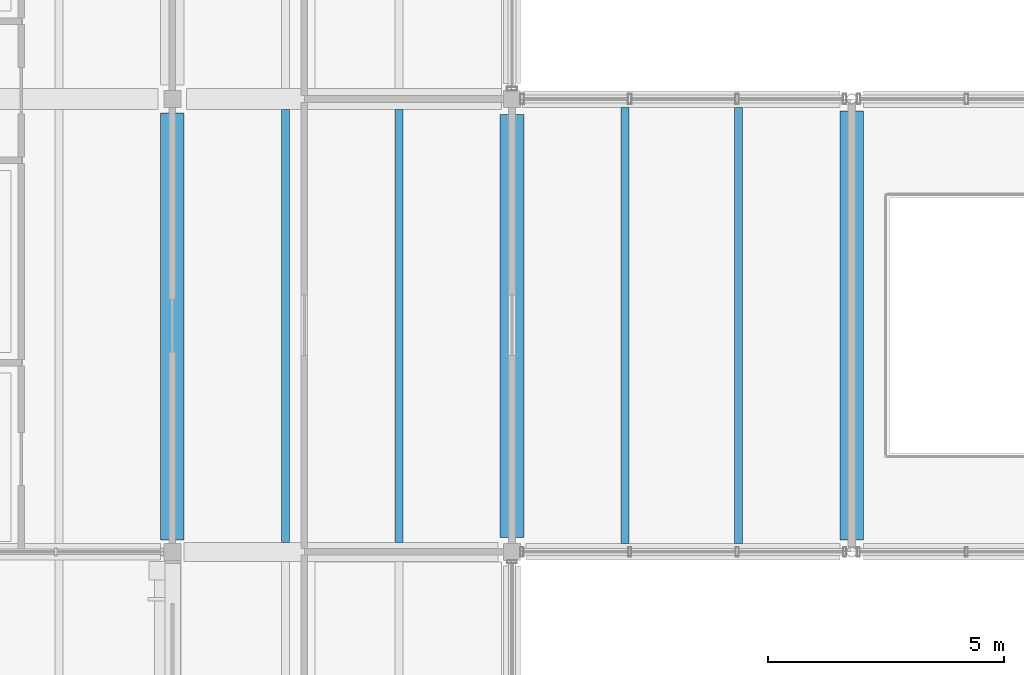
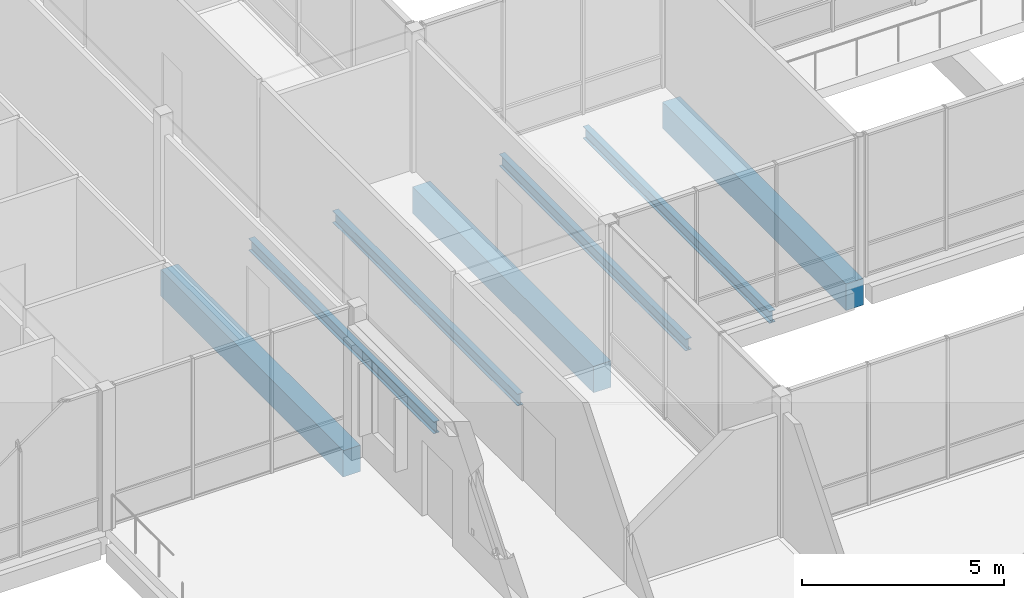
# One storey, part 27 of 146: 7 beams.
"""IFC4 building model written with IfcOpenShell, lengths in metres."""

from ifc_helpers import new_model, si_unit, direction, frame, origin, origin_2d, place, context, subcontext, project, spatial, rectangle, i_section, extrude, material, material_profile, profile_set, type_object, element, save


model = new_model("IFC4")

# Units and contexts
model_context = context("Model", 3, precision=1e-05, world=origin(), true_north=direction((0.0, 1.0)))
body_context = subcontext(model_context, "Body", "Model", "MODEL_VIEW")
ifc_project = project(units=[si_unit("LENGTHUNIT", "METRE"), si_unit("AREAUNIT", "SQUARE_METRE"), si_unit("VOLUMEUNIT", "CUBIC_METRE"), si_unit("PLANEANGLEUNIT", "RADIAN"), si_unit("MASSUNIT", "GRAM", prefix="KILO")], contexts=[model_context])

# Site, building, storey
site_placement = place(None, origin())
site = spatial("IfcSite", under=ifc_project, at=site_placement, CompositionType="ELEMENT")
building_placement = place(site_placement, origin())
building = spatial("IfcBuilding", under=site, at=building_placement, Name="Hawrajan Terrace Health Centre", CompositionType="ELEMENT")
storey_placement = place(building_placement, frame((0.0, 0.0, 4.5)))
storey = spatial("IfcBuildingStorey", under=building, at=storey_placement, Name="L01", CompositionType="ELEMENT", Elevation=4.5)

# Beams
ifc_material_1 = material(Name="Concrete C40/50", Category="concrete")
ifc_material_profile_1 = material_profile(ifc_material_1, rectangle(XDim=0.5, YDim=0.800048828125, at=origin_2d()), Name="RC BM 500x800")
ifc_profile_set_1 = profile_set([ifc_material_profile_1], Name="Concrete C40/50")
beam_type_1 = type_object("IfcBeamType", Name="RCGirder_500x800", PredefinedType="BEAM", material=ifc_profile_set_1)
beam_1_placement = place(storey_placement, frame((19.0, 27.449951171875, -0.699951171875), z_axis=(0.0, 1.0, 0.0), x_axis=(-1.0, 0.0, 0.0)))
element("IfcBeam", 1, at=beam_1_placement, inside=storey, type_object=beam_type_1, Name="Beam BM-Y-L01-W-X03-4", PredefinedType="BEAM", context=body_context, shape_type="SweptSolid", body=[
    extrude(rectangle(XDim=0.5, YDim=0.800048828125, at=origin_2d()), origin(), (0.0, 0.0, 1.0), 9.050048828125),
])
beam_2_placement = place(storey_placement, frame((26.199951171875, 27.5, -0.699951171875), z_axis=(0.0, 1.0, 0.0), x_axis=(-1.0, 0.0, 0.0)))
element("IfcBeam", 2, at=beam_2_placement, inside=storey, type_object=beam_type_1, Name="Beam BM-Y-L01-W-X04-4", PredefinedType="BEAM", context=body_context, shape_type="SweptSolid", body=[
    extrude(rectangle(XDim=0.5, YDim=0.800048828125, at=origin_2d()), origin(), (0.0, 0.0, 1.0), 8.97509765625),
])
beam_3_placement = place(storey_placement, frame((33.39990234375, 27.449951171875, -0.699951171875), z_axis=(0.0, 1.0, 0.0), x_axis=(-1.0, 0.0, 0.0)))
element("IfcBeam", 3, at=beam_3_placement, inside=storey, type_object=beam_type_1, Name="Beam BM-Y-L01-W-X05-4", PredefinedType="BEAM", context=body_context, shape_type="SweptSolid", body=[
    extrude(rectangle(XDim=0.5, YDim=0.800048828125, at=origin_2d()), origin(), (0.0, 0.0, 1.0), 9.10009765625),
])
ifc_material_2 = material(Name="Steel S355", Category="steel")
ifc_material_profile_2 = material_profile(ifc_material_2, i_section(OverallWidth=0.169921875, OverallDepth=0.360107421875, WebThickness=0.008056640625, FlangeThickness=0.0126953125, FilletRadius=0.01806640625, at=origin_2d()), Name="IPE 360")
ifc_profile_set_2 = profile_set([ifc_material_profile_2], Name="Steel S355")
beam_type_2 = type_object("IfcBeamType", Name="SteelBeam_IPE360", PredefinedType="BEAM", material=ifc_profile_set_2)
for number, where, z_axis, x_axis, name in (
    (4, (21.39990234375, 27.39990234375, -0.47998046875), (0.0, 1.0, 0.0), (-1.0, 0.0, 0.0), "Secondary joist JST-L01-W-03-4-1"),
    (5, (23.800048828125, 27.39990234375, -0.47998046875), (0.0, 1.0, 0.0), (-1.0, 0.0, 0.0), "Secondary joist JST-L01-W-03-4-2"),
):
    element("IfcBeam", number, at=place(storey_placement, frame(where, z_axis=z_axis, x_axis=x_axis)), inside=storey, type_object=beam_type_2, Name=name, PredefinedType="BEAM", context=body_context, shape_type="SweptSolid", body=[
        extrude(i_section(OverallWidth=0.169921875, OverallDepth=0.360107421875, WebThickness=0.008056640625, FlangeThickness=0.0126953125, FilletRadius=0.01806640625, at=origin_2d()), origin(), (0.0, 0.0, 1.0), 9.175048828125),
    ])
for number, where, z_axis, x_axis, name in (
    (6, (28.60009765625, 27.375, -0.47998046875), (0.0, 1.0, 0.0), (-1.0, 0.0, 0.0), "Secondary joist JST-L01-W-04-4-1"),
    (7, (31.0, 27.375, -0.47998046875), (0.0, 1.0, 0.0), (-1.0, 0.0, 0.0), "Secondary joist JST-L01-W-04-4-2"),
):
    element("IfcBeam", number, at=place(storey_placement, frame(where, z_axis=z_axis, x_axis=x_axis)), inside=storey, type_object=beam_type_2, Name=name, PredefinedType="BEAM", context=body_context, shape_type="SweptSolid", body=[
        extrude(i_section(OverallWidth=0.169921875, OverallDepth=0.360107421875, WebThickness=0.008056640625, FlangeThickness=0.0126953125, FilletRadius=0.01806640625, at=origin_2d()), origin(), (0.0, 0.0, 1.0), 9.25),
    ])

save(model, "model.ifc")
